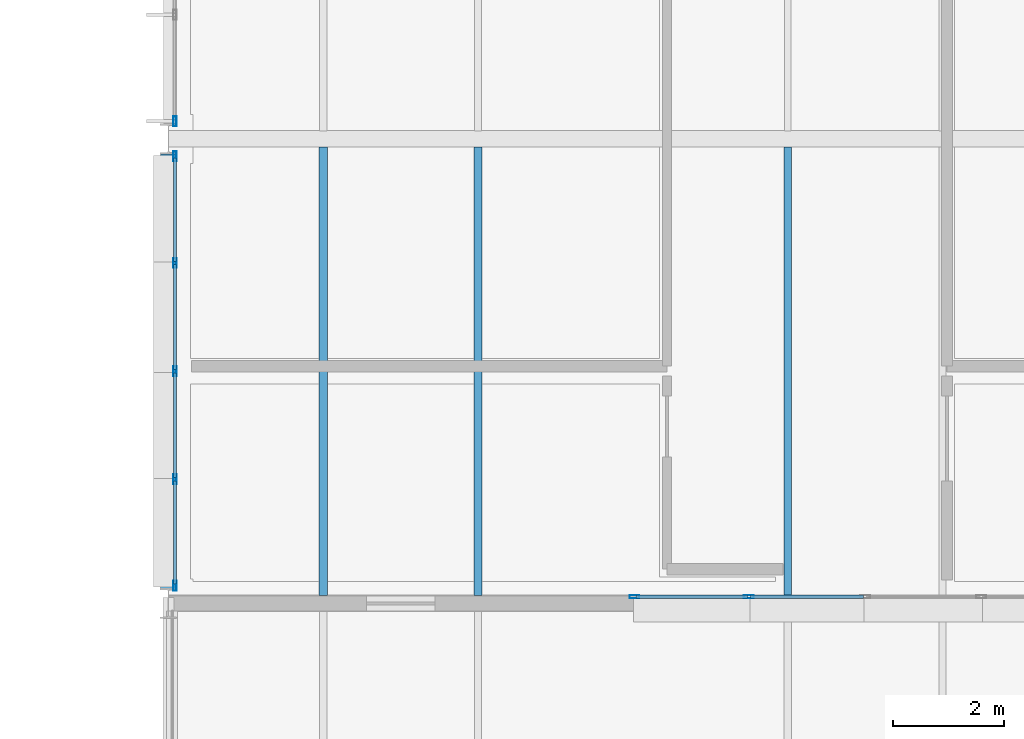
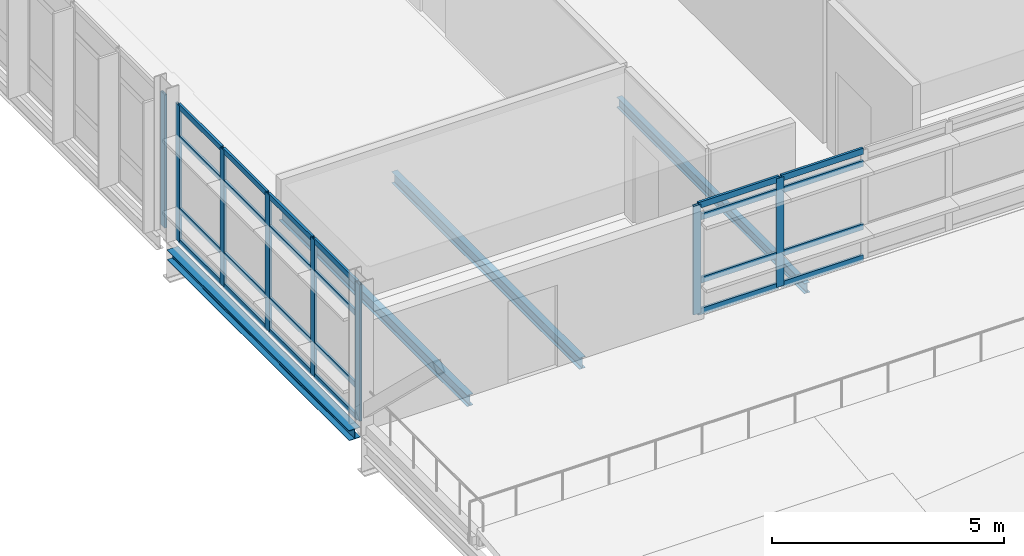
# One storey, part 29 of 103: 32 members, 4 beams, 3 elements without a shape of their own.
"""IFC4 building model written with IfcOpenShell, lengths in metres."""

from ifc_helpers import new_model, si_unit, direction, frame, origin, origin_2d, place, context, subcontext, project, spatial, hollow_rectangle, i_section, extrude, material, material_profile, profile_set, type_object, element, aggregate, save


model = new_model("IFC4")

# Units and contexts
model_context = context("Model", 3, precision=1e-05, world=origin(), true_north=direction((0.0, 1.0)))
body_context = subcontext(model_context, "Body", "Model", "MODEL_VIEW")
ifc_project = project(units=[si_unit("LENGTHUNIT", "METRE"), si_unit("AREAUNIT", "SQUARE_METRE"), si_unit("VOLUMEUNIT", "CUBIC_METRE"), si_unit("PLANEANGLEUNIT", "RADIAN"), si_unit("MASSUNIT", "GRAM", prefix="KILO")], contexts=[model_context])

# Site, building, storey
site_placement = place(None, origin())
site = spatial("IfcSite", under=ifc_project, at=site_placement, CompositionType="ELEMENT")
building_placement = place(site_placement, origin())
building = spatial("IfcBuilding", under=site, at=building_placement, Name="Mersafa Astral City Hall", CompositionType="ELEMENT")
storey_placement = place(building_placement, frame((0.0, 0.0, 18.0)))
storey = spatial("IfcBuildingStorey", under=building, at=storey_placement, Name="L04", CompositionType="ELEMENT", Elevation=18.0)

# Curtain wall, member
ifc_material_1 = material(Name="Anodised bronze aluminium framing", Category="aluminium")
curtain_wall_type_1 = type_object("IfcCurtainWallType", Name="ENV-CW-1", PredefinedType="USERDEFINED", material=ifc_material_1)
curtain_wall_1_placement = place(storey_placement, origin())
curtain_wall_1 = element("IfcCurtainWall", 1, at=curtain_wall_1_placement, inside=storey, type_object=curtain_wall_type_1, Name="L04 Unitised solar curtain wall 210", ObjectType="UNITISED CURTAIN WALL", PredefinedType="USERDEFINED")
ifc_material_profile_1 = material_profile(ifc_material_1, hollow_rectangle(XDim=0.06005859375, YDim=0.179931640625, WallThickness=0.00390625, at=origin_2d()), Name="RHS 60x180x4")
ifc_profile_set_1 = profile_set([ifc_material_profile_1], Name="Anodised bronze aluminium framing")
member_type_1 = type_object("IfcMemberType", Name="ENV-CW-MUL-1", PredefinedType="MULLION", material=ifc_profile_set_1)
member_1_placement = place(storey_placement, frame((92.52001953125, 75.9169921875, -0.001953125), z_axis=(0.0, 0.0, 1.0), x_axis=(1.0, 0.0, 0.0)))
member_1 = element("IfcMember", 2, at=member_1_placement, type_object=member_type_1, Name="CW-1 mullion 5", PredefinedType="MULLION", context=body_context, shape_type="SweptSolid", body=[
    extrude(hollow_rectangle(XDim=0.06005859375, YDim=0.179931640625, WallThickness=0.00390625, at=origin_2d()), origin(), (0.0, 0.0, 1.0), 3.509033203125),
])
aggregate(curtain_wall_1, [member_1])

# Curtain wall, members
curtain_wall_type_2 = type_object("IfcCurtainWallType", Name="ENV-CW-2", PredefinedType="USERDEFINED", material=ifc_material_1)
curtain_wall_2_placement = place(storey_placement, origin())
curtain_wall_2 = element("IfcCurtainWall", 3, at=curtain_wall_2_placement, inside=storey, type_object=curtain_wall_type_2, Name="L04 Unitised solar curtain wall 211", ObjectType="UNITISED CURTAIN WALL", PredefinedType="USERDEFINED")
member_2_placement = place(storey_placement, frame((92.52001953125, 75.282958984375, -0.001953125), z_axis=(0.0, 0.0, 1.0), x_axis=(1.0, 0.0, 0.0)))
member_2 = element("IfcMember", 4, at=member_2_placement, type_object=member_type_1, Name="CW-2 mullion 1", PredefinedType="MULLION", context=body_context, shape_type="SweptSolid", body=[
    extrude(hollow_rectangle(XDim=0.06005859375, YDim=0.179931640625, WallThickness=0.00390625, at=origin_2d()), origin(), (0.0, 0.0, 1.0), 3.598876953125),
])
member_3_placement = place(storey_placement, frame((92.52001953125, 73.3564453125, -0.001953125), z_axis=(0.0, 0.0, 1.0), x_axis=(1.0, 0.0, 0.0)))
member_3 = element("IfcMember", 5, at=member_3_placement, type_object=member_type_1, Name="CW-2 mullion 2", PredefinedType="MULLION", context=body_context, shape_type="SweptSolid", body=[
    extrude(hollow_rectangle(XDim=0.06005859375, YDim=0.179931640625, WallThickness=0.00390625, at=origin_2d()), origin(), (0.0, 0.0, 1.0), 3.598876953125),
])
member_4_placement = place(storey_placement, frame((92.52001953125, 71.39990234375, -0.001953125), z_axis=(0.0, 0.0, 1.0), x_axis=(1.0, 0.0, 0.0)))
member_4 = element("IfcMember", 6, at=member_4_placement, type_object=member_type_1, Name="CW-2 mullion 3", PredefinedType="MULLION", context=body_context, shape_type="SweptSolid", body=[
    extrude(hollow_rectangle(XDim=0.06005859375, YDim=0.179931640625, WallThickness=0.00390625, at=origin_2d()), origin(), (0.0, 0.0, 1.0), 3.598876953125),
])
member_5_placement = place(storey_placement, frame((92.52001953125, 69.443603515625, -0.001953125), z_axis=(0.0, 0.0, 1.0), x_axis=(1.0, 0.0, 0.0)))
member_5 = element("IfcMember", 7, at=member_5_placement, type_object=member_type_1, Name="CW-2 mullion 4", PredefinedType="MULLION", context=body_context, shape_type="SweptSolid", body=[
    extrude(hollow_rectangle(XDim=0.06005859375, YDim=0.179931640625, WallThickness=0.00390625, at=origin_2d()), origin(), (0.0, 0.0, 1.0), 3.598876953125),
])
member_6_placement = place(storey_placement, frame((92.52001953125, 67.51708984375, -0.001953125), z_axis=(0.0, 0.0, 1.0), x_axis=(1.0, 0.0, 0.0)))
member_6 = element("IfcMember", 8, at=member_6_placement, type_object=member_type_1, Name="CW-2 mullion 5", PredefinedType="MULLION", context=body_context, shape_type="SweptSolid", body=[
    extrude(hollow_rectangle(XDim=0.06005859375, YDim=0.179931640625, WallThickness=0.00390625, at=origin_2d()), origin(), (0.0, 0.0, 1.0), 3.598876953125),
])

curtain_wall_type_3 = type_object("IfcCurtainWallType", Name="ENV-CW-3", PredefinedType="USERDEFINED", material=ifc_material_1)
curtain_wall_3_placement = place(storey_placement, origin())
curtain_wall_3 = element("IfcCurtainWall", 9, at=curtain_wall_3_placement, inside=storey, type_object=curtain_wall_type_3, Name="L04 Unitised solar curtain wall 212", ObjectType="UNITISED CURTAIN WALL", PredefinedType="USERDEFINED")
member_7_placement = place(storey_placement, frame((100.830078125, 67.320068359375, -0.001953125), z_axis=(0.0, 0.0, 1.0), x_axis=(0.0, 1.0, 0.0)))
member_7 = element("IfcMember", 10, at=member_7_placement, type_object=member_type_1, Name="CW-3 mullion 1", PredefinedType="MULLION", context=body_context, shape_type="SweptSolid", body=[
    extrude(hollow_rectangle(XDim=0.06005859375, YDim=0.179931640625, WallThickness=0.00390625, at=origin_2d()), origin(), (0.0, 0.0, 1.0), 2.868896484375),
])
member_8_placement = place(storey_placement, frame((102.89990234375, 67.320068359375, -0.001953125), z_axis=(0.0, 0.0, 1.0), x_axis=(0.0, 1.0, 0.0)))
member_8 = element("IfcMember", 11, at=member_8_placement, type_object=member_type_1, Name="CW-3 mullion 2", PredefinedType="MULLION", context=body_context, shape_type="SweptSolid", body=[
    extrude(hollow_rectangle(XDim=0.06005859375, YDim=0.179931640625, WallThickness=0.00390625, at=origin_2d()), origin(), (0.0, 0.0, 1.0), 2.868896484375),
])

# Member
ifc_material_profile_2 = material_profile(ifc_material_1, hollow_rectangle(XDim=0.06005859375, YDim=0.139892578125, WallThickness=0.00390625, at=origin_2d()), Name="RHS 60x140x4")
ifc_profile_set_2 = profile_set([ifc_material_profile_2], Name="Anodised bronze aluminium framing")
member_type_2 = type_object("IfcMemberType", Name="ENV-CW-TRN-1", PredefinedType="USERDEFINED", material=ifc_profile_set_2)
member_9_placement = place(storey_placement, frame((92.52001953125, 75.2529296875, 0.028076171875), z_axis=(0.0, -1.0, 0.0), x_axis=(1.0, 0.0, 0.0)))
member_9 = element("IfcMember", 12, at=member_9_placement, type_object=member_type_2, Name="CW-2 transom 1.1", ObjectType="TRANSOM", PredefinedType="USERDEFINED", context=body_context, shape_type="SweptSolid", body=[
    extrude(hollow_rectangle(XDim=0.06005859375, YDim=0.139892578125, WallThickness=0.00390625, at=origin_2d()), origin(), (0.0, 0.0, 1.0), 1.866455078125),
])

member_10_placement = place(storey_placement, frame((92.52001953125, 75.2529296875, 0.85009765625), z_axis=(0.0, -1.0, 0.0), x_axis=(1.0, 0.0, 0.0)))
member_10 = element("IfcMember", 13, at=member_10_placement, type_object=member_type_2, Name="CW-2 transom 1.2", ObjectType="TRANSOM", PredefinedType="USERDEFINED", context=body_context, shape_type="SweptSolid", body=[
    extrude(hollow_rectangle(XDim=0.06005859375, YDim=0.139892578125, WallThickness=0.00390625, at=origin_2d()), origin(), (0.0, 0.0, 1.0), 1.866455078125),
])

member_11_placement = place(storey_placement, frame((92.52001953125, 75.2529296875, 2.75), z_axis=(0.0, -1.0, 0.0), x_axis=(1.0, 0.0, 0.0)))
member_11 = element("IfcMember", 14, at=member_11_placement, type_object=member_type_2, Name="CW-2 transom 1.3", ObjectType="TRANSOM", PredefinedType="USERDEFINED", context=body_context, shape_type="SweptSolid", body=[
    extrude(hollow_rectangle(XDim=0.06005859375, YDim=0.139892578125, WallThickness=0.00390625, at=origin_2d()), origin(), (0.0, 0.0, 1.0), 1.866455078125),
])

member_12_placement = place(storey_placement, frame((92.52001953125, 75.2529296875, 3.56689453125), z_axis=(0.0, -1.0, 0.0), x_axis=(1.0, 0.0, 0.0)))
member_12 = element("IfcMember", 15, at=member_12_placement, type_object=member_type_2, Name="CW-2 transom 1.4", ObjectType="TRANSOM", PredefinedType="USERDEFINED", context=body_context, shape_type="SweptSolid", body=[
    extrude(hollow_rectangle(XDim=0.06005859375, YDim=0.139892578125, WallThickness=0.00390625, at=origin_2d()), origin(), (0.0, 0.0, 1.0), 1.866455078125),
])

member_13_placement = place(storey_placement, frame((92.52001953125, 73.326416015625, 0.028076171875), z_axis=(0.0, -1.0, 0.0), x_axis=(1.0, 0.0, 0.0)))
member_13 = element("IfcMember", 16, at=member_13_placement, type_object=member_type_2, Name="CW-2 transom 2.1", ObjectType="TRANSOM", PredefinedType="USERDEFINED", context=body_context, shape_type="SweptSolid", body=[
    extrude(hollow_rectangle(XDim=0.06005859375, YDim=0.139892578125, WallThickness=0.00390625, at=origin_2d()), origin(), (0.0, 0.0, 1.0), 1.896484375),
])

member_14_placement = place(storey_placement, frame((92.52001953125, 73.326416015625, 0.85009765625), z_axis=(0.0, -1.0, 0.0), x_axis=(1.0, 0.0, 0.0)))
member_14 = element("IfcMember", 17, at=member_14_placement, type_object=member_type_2, Name="CW-2 transom 2.2", ObjectType="TRANSOM", PredefinedType="USERDEFINED", context=body_context, shape_type="SweptSolid", body=[
    extrude(hollow_rectangle(XDim=0.06005859375, YDim=0.139892578125, WallThickness=0.00390625, at=origin_2d()), origin(), (0.0, 0.0, 1.0), 1.896484375),
])

member_15_placement = place(storey_placement, frame((92.52001953125, 73.326416015625, 2.75), z_axis=(0.0, -1.0, 0.0), x_axis=(1.0, 0.0, 0.0)))
member_15 = element("IfcMember", 18, at=member_15_placement, type_object=member_type_2, Name="CW-2 transom 2.3", ObjectType="TRANSOM", PredefinedType="USERDEFINED", context=body_context, shape_type="SweptSolid", body=[
    extrude(hollow_rectangle(XDim=0.06005859375, YDim=0.139892578125, WallThickness=0.00390625, at=origin_2d()), origin(), (0.0, 0.0, 1.0), 1.896484375),
])

member_16_placement = place(storey_placement, frame((92.52001953125, 73.326416015625, 3.56689453125), z_axis=(0.0, -1.0, 0.0), x_axis=(1.0, 0.0, 0.0)))
member_16 = element("IfcMember", 19, at=member_16_placement, type_object=member_type_2, Name="CW-2 transom 2.4", ObjectType="TRANSOM", PredefinedType="USERDEFINED", context=body_context, shape_type="SweptSolid", body=[
    extrude(hollow_rectangle(XDim=0.06005859375, YDim=0.139892578125, WallThickness=0.00390625, at=origin_2d()), origin(), (0.0, 0.0, 1.0), 1.896484375),
])

member_17_placement = place(storey_placement, frame((92.52001953125, 71.3701171875, 0.028076171875), z_axis=(0.0, -1.0, 0.0), x_axis=(1.0, 0.0, 0.0)))
member_17 = element("IfcMember", 20, at=member_17_placement, type_object=member_type_2, Name="CW-2 transom 3.1", ObjectType="TRANSOM", PredefinedType="USERDEFINED", context=body_context, shape_type="SweptSolid", body=[
    extrude(hollow_rectangle(XDim=0.06005859375, YDim=0.139892578125, WallThickness=0.00390625, at=origin_2d()), origin(), (0.0, 0.0, 1.0), 1.896728515625),
])

member_18_placement = place(storey_placement, frame((92.52001953125, 71.3701171875, 0.85009765625), z_axis=(0.0, -1.0, 0.0), x_axis=(1.0, 0.0, 0.0)))
member_18 = element("IfcMember", 21, at=member_18_placement, type_object=member_type_2, Name="CW-2 transom 3.2", ObjectType="TRANSOM", PredefinedType="USERDEFINED", context=body_context, shape_type="SweptSolid", body=[
    extrude(hollow_rectangle(XDim=0.06005859375, YDim=0.139892578125, WallThickness=0.00390625, at=origin_2d()), origin(), (0.0, 0.0, 1.0), 1.896728515625),
])

member_19_placement = place(storey_placement, frame((92.52001953125, 71.3701171875, 2.75), z_axis=(0.0, -1.0, 0.0), x_axis=(1.0, 0.0, 0.0)))
member_19 = element("IfcMember", 22, at=member_19_placement, type_object=member_type_2, Name="CW-2 transom 3.3", ObjectType="TRANSOM", PredefinedType="USERDEFINED", context=body_context, shape_type="SweptSolid", body=[
    extrude(hollow_rectangle(XDim=0.06005859375, YDim=0.139892578125, WallThickness=0.00390625, at=origin_2d()), origin(), (0.0, 0.0, 1.0), 1.896728515625),
])

member_20_placement = place(storey_placement, frame((92.52001953125, 71.3701171875, 3.56689453125), z_axis=(0.0, -1.0, 0.0), x_axis=(1.0, 0.0, 0.0)))
member_20 = element("IfcMember", 23, at=member_20_placement, type_object=member_type_2, Name="CW-2 transom 3.4", ObjectType="TRANSOM", PredefinedType="USERDEFINED", context=body_context, shape_type="SweptSolid", body=[
    extrude(hollow_rectangle(XDim=0.06005859375, YDim=0.139892578125, WallThickness=0.00390625, at=origin_2d()), origin(), (0.0, 0.0, 1.0), 1.896728515625),
])

member_21_placement = place(storey_placement, frame((92.52001953125, 69.41357421875, 0.028076171875), z_axis=(0.0, -1.0, 0.0), x_axis=(1.0, 0.0, 0.0)))
member_21 = element("IfcMember", 24, at=member_21_placement, type_object=member_type_2, Name="CW-2 transom 4.1", ObjectType="TRANSOM", PredefinedType="USERDEFINED", context=body_context, shape_type="SweptSolid", body=[
    extrude(hollow_rectangle(XDim=0.06005859375, YDim=0.139892578125, WallThickness=0.00390625, at=origin_2d()), origin(), (0.0, 0.0, 1.0), 1.866455078125),
])

member_22_placement = place(storey_placement, frame((92.52001953125, 69.41357421875, 0.85009765625), z_axis=(0.0, -1.0, 0.0), x_axis=(1.0, 0.0, 0.0)))
member_22 = element("IfcMember", 25, at=member_22_placement, type_object=member_type_2, Name="CW-2 transom 4.2", ObjectType="TRANSOM", PredefinedType="USERDEFINED", context=body_context, shape_type="SweptSolid", body=[
    extrude(hollow_rectangle(XDim=0.06005859375, YDim=0.139892578125, WallThickness=0.00390625, at=origin_2d()), origin(), (0.0, 0.0, 1.0), 1.866455078125),
])

member_23_placement = place(storey_placement, frame((92.52001953125, 69.41357421875, 2.75), z_axis=(0.0, -1.0, 0.0), x_axis=(1.0, 0.0, 0.0)))
member_23 = element("IfcMember", 26, at=member_23_placement, type_object=member_type_2, Name="CW-2 transom 4.3", ObjectType="TRANSOM", PredefinedType="USERDEFINED", context=body_context, shape_type="SweptSolid", body=[
    extrude(hollow_rectangle(XDim=0.06005859375, YDim=0.139892578125, WallThickness=0.00390625, at=origin_2d()), origin(), (0.0, 0.0, 1.0), 1.866455078125),
])

member_24_placement = place(storey_placement, frame((92.52001953125, 69.41357421875, 3.56689453125), z_axis=(0.0, -1.0, 0.0), x_axis=(1.0, 0.0, 0.0)))
member_24 = element("IfcMember", 27, at=member_24_placement, type_object=member_type_2, Name="CW-2 transom 4.4", ObjectType="TRANSOM", PredefinedType="USERDEFINED", context=body_context, shape_type="SweptSolid", body=[
    extrude(hollow_rectangle(XDim=0.06005859375, YDim=0.139892578125, WallThickness=0.00390625, at=origin_2d()), origin(), (0.0, 0.0, 1.0), 1.866455078125),
])

aggregate(curtain_wall_2, [member_2, member_3, member_4, member_5, member_6, member_9, member_10, member_11, member_12, member_13, member_14, member_15, member_16, member_17, member_18, member_19, member_20, member_21, member_22, member_23, member_24])

ifc_material_profile_3 = material_profile(ifc_material_1, hollow_rectangle(XDim=0.06005859375, YDim=0.159912109375, WallThickness=0.00390625, at=origin_2d()), Name="RHS 60x160x4")
ifc_profile_set_3 = profile_set([ifc_material_profile_3], Name="Anodised bronze aluminium framing")
member_type_3 = type_object("IfcMemberType", Name="ENV-CW-TRN-2", PredefinedType="USERDEFINED", material=ifc_profile_set_3)
member_25_placement = place(storey_placement, frame((100.860107421875, 67.320068359375, 0.028076171875), z_axis=(1.0, 0.0, 0.0), x_axis=(0.0, 1.0, 0.0)))
member_25 = element("IfcMember", 28, at=member_25_placement, type_object=member_type_3, Name="CW-3 transom 1.1", ObjectType="TRANSOM", PredefinedType="USERDEFINED", context=body_context, shape_type="SweptSolid", body=[
    extrude(hollow_rectangle(XDim=0.06005859375, YDim=0.159912109375, WallThickness=0.00390625, at=origin_2d()), origin(), (0.0, 0.0, 1.0), 2.010009765625),
])

member_26_placement = place(storey_placement, frame((100.860107421875, 67.320068359375, 0.85009765625), z_axis=(1.0, 0.0, 0.0), x_axis=(0.0, 1.0, 0.0)))
member_26 = element("IfcMember", 29, at=member_26_placement, type_object=member_type_3, Name="CW-3 transom 1.2", ObjectType="TRANSOM", PredefinedType="USERDEFINED", context=body_context, shape_type="SweptSolid", body=[
    extrude(hollow_rectangle(XDim=0.06005859375, YDim=0.159912109375, WallThickness=0.00390625, at=origin_2d()), origin(), (0.0, 0.0, 1.0), 2.010009765625),
])

member_27_placement = place(storey_placement, frame((100.860107421875, 67.320068359375, 2.51708984375), z_axis=(1.0, 0.0, 0.0), x_axis=(0.0, 1.0, 0.0)))
member_27 = element("IfcMember", 30, at=member_27_placement, type_object=member_type_3, Name="CW-3 transom 1.3", ObjectType="TRANSOM", PredefinedType="USERDEFINED", context=body_context, shape_type="SweptSolid", body=[
    extrude(hollow_rectangle(XDim=0.06005859375, YDim=0.159912109375, WallThickness=0.00390625, at=origin_2d()), origin(), (0.0, 0.0, 1.0), 2.010009765625),
])

member_28_placement = place(storey_placement, frame((100.860107421875, 67.320068359375, 2.8369140625), z_axis=(1.0, 0.0, 0.0), x_axis=(0.0, 1.0, 0.0)))
member_28 = element("IfcMember", 31, at=member_28_placement, type_object=member_type_3, Name="CW-3 transom 1.4", ObjectType="TRANSOM", PredefinedType="USERDEFINED", context=body_context, shape_type="SweptSolid", body=[
    extrude(hollow_rectangle(XDim=0.06005859375, YDim=0.159912109375, WallThickness=0.00390625, at=origin_2d()), origin(), (0.0, 0.0, 1.0), 2.010009765625),
])

member_29_placement = place(storey_placement, frame((102.929931640625, 67.320068359375, 0.028076171875), z_axis=(1.0, 0.0, 0.0), x_axis=(0.0, 1.0, 0.0)))
member_29 = element("IfcMember", 32, at=member_29_placement, type_object=member_type_3, Name="CW-3 transom 2.1", ObjectType="TRANSOM", PredefinedType="USERDEFINED", context=body_context, shape_type="SweptSolid", body=[
    extrude(hollow_rectangle(XDim=0.06005859375, YDim=0.159912109375, WallThickness=0.00390625, at=origin_2d()), origin(), (0.0, 0.0, 1.0), 2.0400390625),
])

member_30_placement = place(storey_placement, frame((102.929931640625, 67.320068359375, 0.85009765625), z_axis=(1.0, 0.0, 0.0), x_axis=(0.0, 1.0, 0.0)))
member_30 = element("IfcMember", 33, at=member_30_placement, type_object=member_type_3, Name="CW-3 transom 2.2", ObjectType="TRANSOM", PredefinedType="USERDEFINED", context=body_context, shape_type="SweptSolid", body=[
    extrude(hollow_rectangle(XDim=0.06005859375, YDim=0.159912109375, WallThickness=0.00390625, at=origin_2d()), origin(), (0.0, 0.0, 1.0), 2.0400390625),
])

member_31_placement = place(storey_placement, frame((102.929931640625, 67.320068359375, 2.51708984375), z_axis=(1.0, 0.0, 0.0), x_axis=(0.0, 1.0, 0.0)))
member_31 = element("IfcMember", 34, at=member_31_placement, type_object=member_type_3, Name="CW-3 transom 2.3", ObjectType="TRANSOM", PredefinedType="USERDEFINED", context=body_context, shape_type="SweptSolid", body=[
    extrude(hollow_rectangle(XDim=0.06005859375, YDim=0.159912109375, WallThickness=0.00390625, at=origin_2d()), origin(), (0.0, 0.0, 1.0), 2.0400390625),
])

member_32_placement = place(storey_placement, frame((102.929931640625, 67.320068359375, 2.8369140625), z_axis=(1.0, 0.0, 0.0), x_axis=(0.0, 1.0, 0.0)))
member_32 = element("IfcMember", 35, at=member_32_placement, type_object=member_type_3, Name="CW-3 transom 2.4", ObjectType="TRANSOM", PredefinedType="USERDEFINED", context=body_context, shape_type="SweptSolid", body=[
    extrude(hollow_rectangle(XDim=0.06005859375, YDim=0.159912109375, WallThickness=0.00390625, at=origin_2d()), origin(), (0.0, 0.0, 1.0), 2.0400390625),
])

aggregate(curtain_wall_3, [member_7, member_8, member_25, member_26, member_27, member_28, member_29, member_30, member_31, member_32])

# Beams
ifc_material_2 = material(Name="Steel S355", Category="steel")
ifc_material_profile_4 = material_profile(ifc_material_2, i_section(OverallWidth=0.135009765625, OverallDepth=0.27001953125, WebThickness=0.006591796875, FlangeThickness=0.01025390625, FilletRadius=0.014892578125, at=origin_2d()), Name="IPE 270")
ifc_profile_set_4 = profile_set([ifc_material_profile_4], Name="Steel S355")
beam_type_1 = type_object("IfcBeamType", Name="STR-BM-JOIST-IPE270", PredefinedType="JOIST", material=ifc_profile_set_4)
beam_1_placement = place(storey_placement, frame((103.60009765625, 67.344970703125, -0.320068359375), z_axis=(0.0, 1.0, 0.0), x_axis=(-1.0, 0.0, 0.0)))
element("IfcBeam", 36, at=beam_1_placement, inside=storey, type_object=beam_type_1, Name="L04 Composite secondary floor joist 718", PredefinedType="JOIST", context=body_context, shape_type="SweptSolid", body=[
    extrude(i_section(OverallWidth=0.135009765625, OverallDepth=0.27001953125, WebThickness=0.006591796875, FlangeThickness=0.01025390625, FilletRadius=0.014892578125, at=origin_2d()), origin(), (0.0, 0.0, 1.0), 8.110107421875),
])
ifc_material_profile_5 = material_profile(ifc_material_2, i_section(OverallWidth=0.14990234375, OverallDepth=0.300048828125, WebThickness=0.007080078125, FlangeThickness=0.0107421875, FilletRadius=0.014892578125, at=origin_2d()), Name="IPE 300")
ifc_profile_set_5 = profile_set([ifc_material_profile_5], Name="Steel S355")
beam_type_2 = type_object("IfcBeamType", Name="STR-BM-JOIST-IPE300", PredefinedType="JOIST", material=ifc_profile_set_5)
for number, where, z_axis, x_axis, name in (
    (37, (95.199951171875, 67.344970703125, -0.3349609375), (0.0, 1.0, 0.0), (-1.0, 0.0, 0.0), "L04 Composite secondary floor joist 710"),
    (38, (98.0, 67.344970703125, -0.3349609375), (0.0, 1.0, 0.0), (-1.0, 0.0, 0.0), "L04 Composite secondary floor joist 711"),
):
    element("IfcBeam", number, at=place(storey_placement, frame(where, z_axis=z_axis, x_axis=x_axis)), inside=storey, type_object=beam_type_2, Name=name, PredefinedType="JOIST", context=body_context, shape_type="SweptSolid", body=[
        extrude(i_section(OverallWidth=0.14990234375, OverallDepth=0.300048828125, WebThickness=0.007080078125, FlangeThickness=0.0107421875, FilletRadius=0.014892578125, at=origin_2d()), origin(), (0.0, 0.0, 1.0), 8.110107421875),
    ])
ifc_material_profile_6 = material_profile(ifc_material_2, i_section(OverallWidth=0.280029296875, OverallDepth=0.27001953125, WebThickness=0.008056640625, FlangeThickness=0.012939453125, FilletRadius=0.02392578125, at=origin_2d()), Name="HEA 280")
ifc_profile_set_6 = profile_set([ifc_material_profile_6], Name="Steel S355")
beam_type_3 = type_object("IfcBeamType", Name="STR-BM-SPANDREL-HEA280", PredefinedType="SPANDREL", material=ifc_profile_set_6)
beam_2_placement = place(storey_placement, frame((92.39990234375, 67.469970703125, -0.320068359375), z_axis=(0.0, 1.0, 0.0), x_axis=(-1.0, 0.0, 0.0)))
element("IfcBeam", 39, at=beam_2_placement, inside=storey, type_object=beam_type_3, Name="L04 Primary girder Y 11-8", PredefinedType="SPANDREL", context=body_context, shape_type="SweptSolid", body=[
    extrude(i_section(OverallWidth=0.280029296875, OverallDepth=0.27001953125, WebThickness=0.008056640625, FlangeThickness=0.012939453125, FilletRadius=0.02392578125, at=origin_2d()), origin(), (0.0, 0.0, 1.0), 7.860107421875),
])

save(model, "model.ifc")
